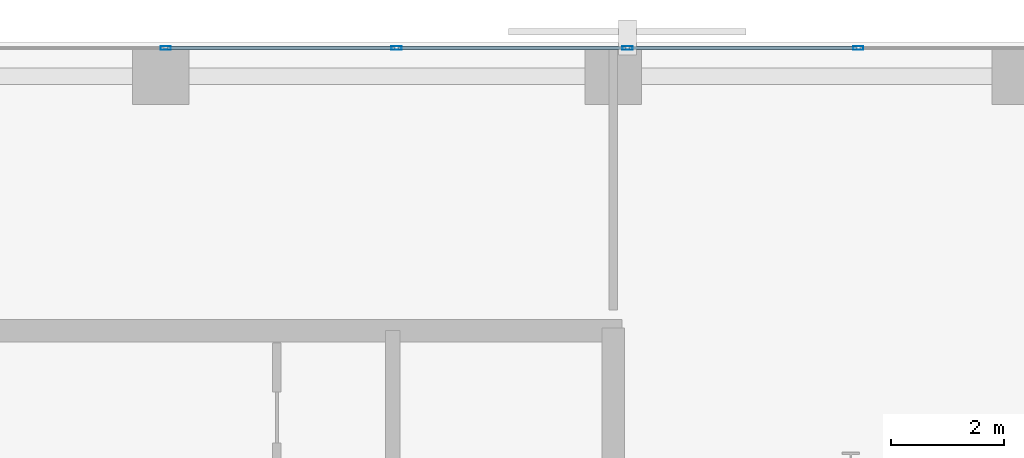
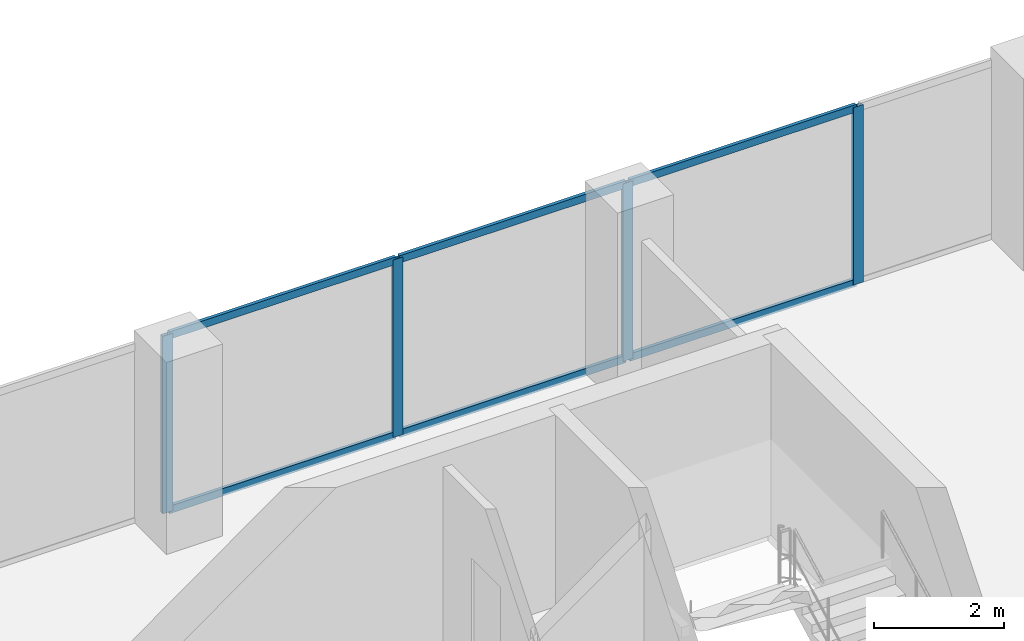
# One storey, part 24 of 31: 10 members, 1 element without a shape of its own.
"""IFC4 building model written with IfcOpenShell, lengths in metres."""

import ifcopenshell
import ifcopenshell.guid

model = None  # the IFC model being written
_history = None  # IfcOwnerHistory: only IFC2X3 demands one
_inside = {}  # id of a spatial element -> (the spatial element, [elements in it])
_under = {}  # id of a project, library or spatial element -> (it, [spatial elements below it])
_declared = {}  # id of a project -> (the project, [libraries it declares])
_typed = {}  # id of a type object -> (the type object, [elements of that type])
_made_of = {}  # id of a material, layer set ... -> (it, [elements and type objects made of it])


def new_model(schema):
    """Start an empty IFC model of exactly this schema.

    Asked for "IFC4X3", IfcOpenShell would pick the latest addendum, in which some entities
    have other attributes; the version numbers below select the first issue.
    IFC2X3 requires an IfcOwnerHistory on every rooted entity: one is made here for all.
    """
    global model, _history
    if schema == "IFC4X3":
        model = ifcopenshell.file(schema_version=(4, 3, 0, 0))
    else:
        model = ifcopenshell.file(schema=schema)
    _inside.clear()
    _under.clear()
    _declared.clear()
    _typed.clear()
    _made_of.clear()
    _history = None
    if model.schema == "IFC2X3":
        org = make("IfcOrganization", Name="unknown")
        user = make(
            "IfcPersonAndOrganization",
            ThePerson=make("IfcPerson", FamilyName="unknown"),
            TheOrganization=org,
        )
        app = make(
            "IfcApplication",
            ApplicationDeveloper=org,
            Version="unknown",
            ApplicationFullName="unknown",
            ApplicationIdentifier="unknown",
        )
        _history = make(
            "IfcOwnerHistory",
            OwningUser=user,
            OwningApplication=app,
            ChangeAction="ADDED",
            CreationDate=0,
        )
    return model


def make(cls, **values):
    """One entity of the class cls with the attributes given. An attribute that is None is left unset."""
    return model.create_entity(
        cls, **{name: value for name, value in values.items() if value is not None}
    )


def rooted(cls, **values):
    """An entity with a GlobalId (a new one), such as an element, a storey or a relation."""
    return make(cls, GlobalId=ifcopenshell.guid.new(), OwnerHistory=_history, **values)


def si_unit(unit_type, name, prefix=None):
    """IfcSIUnit, for example si_unit("LENGTHUNIT", "METRE", prefix="MILLI")."""
    return make("IfcSIUnit", UnitType=unit_type, Prefix=prefix, Name=name)


def assignment(units):
    """IfcUnitAssignment: the units of a project."""
    return None if units is None else make("IfcUnitAssignment", Units=units)


def point(xyz):
    """IfcCartesianPoint."""
    return None if xyz is None else make("IfcCartesianPoint", Coordinates=xyz)


def direction(xyz):
    """IfcDirection."""
    return None if xyz is None else make("IfcDirection", DirectionRatios=xyz)


def frame(location, z_axis=None, x_axis=None):
    """IfcAxis2Placement3D, a coordinate frame: its origin and axes. An axis left out is left unset."""
    return make(
        "IfcAxis2Placement3D",
        Location=point(location),
        Axis=direction(z_axis),
        RefDirection=direction(x_axis),
    )


def frame_2d(location, x_axis=None):
    """IfcAxis2Placement2D, a coordinate frame in the plane: its origin and x axis."""
    return make(
        "IfcAxis2Placement2D", Location=point(location), RefDirection=direction(x_axis)
    )


def origin():
    """The frame at (0, 0, 0) with its axes left unset."""
    return frame((0.0, 0.0, 0.0))


def origin_2d():
    """The frame at (0, 0) in the plane with its x axis left unset."""
    return frame_2d((0.0, 0.0))


def place(relative_to, where):
    """IfcLocalPlacement: puts the frame where relative to a parent placement (None: the world)."""
    return make(
        "IfcLocalPlacement", PlacementRelTo=relative_to, RelativePlacement=where
    )


def context(
    kind, dimensions, precision=None, world=None, true_north=None, identifier=None
):
    """IfcGeometricRepresentationContext, for example the 3D "Model" context."""
    return make(
        "IfcGeometricRepresentationContext",
        ContextIdentifier=identifier,
        ContextType=kind,
        CoordinateSpaceDimension=dimensions,
        Precision=precision,
        WorldCoordinateSystem=world,
        TrueNorth=true_north,
    )


def subcontext(parent, identifier, kind, view, scale=None):
    """IfcGeometricRepresentationSubContext, for example "Body" below "Model"."""
    return make(
        "IfcGeometricRepresentationSubContext",
        ContextIdentifier=identifier,
        ContextType=kind,
        ParentContext=parent,
        TargetScale=scale,
        TargetView=view,
    )


def project(units=None, contexts=None):
    """IfcProject with its units and contexts."""
    return rooted(
        "IfcProject",
        Name="project",
        RepresentationContexts=contexts,
        UnitsInContext=assignment(units),
    )


def spatial(cls, under=None, at=None, **own):
    """A site, building, storey or space (cls), placed at a placement, below another one or the project."""
    s = rooted(cls, ObjectPlacement=at, **own)
    if under is not None:
        _under.setdefault(under.id(), (under, []))[1].append(s)
    return s


def profile(cls, at=None, kind="AREA", **sizes):
    """A parametric profile (cls). Its sizes go by their IFC names, for example OverallWidth=200.0."""
    return make(cls, ProfileType=kind, Position=at, **sizes)


def hollow_rectangle(**sizes):
    """IfcRectangleHollowProfileDef."""
    return profile("IfcRectangleHollowProfileDef", **sizes)


def extrude(swept, where, along, depth):
    """IfcExtrudedAreaSolid: the profile swept, set in the frame where, extruded along a direction by depth."""
    return make(
        "IfcExtrudedAreaSolid",
        SweptArea=swept,
        Position=where,
        ExtrudedDirection=direction(along),
        Depth=depth,
    )


def shape(context_of_items, identifier, shape_type, items):
    """IfcShapeRepresentation: the items that make up one representation, for example the "Body"."""
    return make(
        "IfcShapeRepresentation",
        ContextOfItems=context_of_items,
        RepresentationIdentifier=identifier,
        RepresentationType=shape_type,
        Items=items,
    )


def material(Name=None, Category=None):
    """IfcMaterial."""
    return make("IfcMaterial", Name=Name, Category=Category)


def layer(
    of_material, thickness, ventilated=None, Name=None, Category=None, Priority=None
):
    """IfcMaterialLayer: one layer of a wall or slab, of a material (None: an air gap)."""
    return make(
        "IfcMaterialLayer",
        Material=of_material,
        LayerThickness=thickness,
        IsVentilated=ventilated,
        Name=Name,
        Category=Category,
        Priority=Priority,
    )


def layer_set(layers, Name=None):
    """IfcMaterialLayerSet."""
    return make("IfcMaterialLayerSet", MaterialLayers=layers, LayerSetName=Name)


def material_profile(
    of_material, cross_section, Name=None, Category=None, Priority=None
):
    """IfcMaterialProfile: a cross section and its material."""
    return make(
        "IfcMaterialProfile",
        Name=Name,
        Material=of_material,
        Profile=cross_section,
        Priority=Priority,
        Category=Category,
    )


def profile_set(profiles, Name=None, composite=None):
    """IfcMaterialProfileSet."""
    return make(
        "IfcMaterialProfileSet",
        Name=Name,
        MaterialProfiles=profiles,
        CompositeProfile=composite,
    )


def made_of(thing, what):
    """Note that an element or type object is made of a material, layer set ...; save() writes the relation."""
    if what is not None:
        _made_of.setdefault(what.id(), (what, []))[1].append(thing)
    return thing


def type_object(cls, material=None, **own):
    """A type object (cls), such as IfcWallType, which elements share."""
    return made_of(rooted(cls, **own), material)


def element(
    cls,
    number,
    at=None,
    inside=None,
    cuts=None,
    type_object=None,
    material=None,
    context=None,
    identifier="Body",
    shape_type=None,
    held_by="IfcProductDefinitionShape",
    body=None,
    shapes=None,
    **own,
):
    """One element of the class cls, such as IfcWall. Its Tag is "e" and its number.

    at: its placement. inside: the storey or other place that contains it. cuts: it is an
    opening in that element (IfcRelVoidsElement). A single representation is given by context,
    identifier, shape_type and body (its items); several are given by shapes. held_by: the class
    of the entity that holds the representations. save() writes the other relations.
    """
    e = rooted(cls, Tag="e%d" % number, ObjectPlacement=at, **own)
    if body is not None:
        shapes = [shape(context, identifier, shape_type, body)]
    if shapes is not None:
        e.Representation = make(held_by, Representations=shapes)
    if inside is not None:
        _inside.setdefault(inside.id(), (inside, []))[1].append(e)
    if cuts is not None:
        rooted(
            "IfcRelVoidsElement", RelatingBuildingElement=cuts, RelatedOpeningElement=e
        )
    if type_object is not None:
        _typed.setdefault(type_object.id(), (type_object, []))[1].append(e)
    return made_of(e, material)


def aggregate(whole, parts):
    """IfcRelAggregates: a whole, such as a stair, and the parts it consists of."""
    return rooted("IfcRelAggregates", RelatingObject=whole, RelatedObjects=parts)


def save(model, path):
    """Write the relations noted so far, then the file.

    IfcRelAggregates (storeys below a building ...), IfcRelContainedInSpatialStructure (elements
    in a storey), IfcRelDefinesByType, IfcRelAssociatesMaterial and IfcRelDeclares: one each for
    every whole, place, type object, material and project.
    """
    for whole, parts in _under.values():
        aggregate(whole, parts)
    for where, things in _inside.values():
        rooted(
            "IfcRelContainedInSpatialStructure",
            RelatedElements=things,
            RelatingStructure=where,
        )
    for kind, things in _typed.values():
        rooted("IfcRelDefinesByType", RelatedObjects=things, RelatingType=kind)
    for what, things in _made_of.values():
        rooted("IfcRelAssociatesMaterial", RelatedObjects=things, RelatingMaterial=what)
    for by, libraries in _declared.values():
        rooted("IfcRelDeclares", RelatingContext=by, RelatedDefinitions=libraries)
    model.write(path)


model = new_model("IFC4")

# Units and contexts
model_context = context("Model", 3, precision=1e-05, world=origin(), true_north=direction((0.0, 1.0)))
body_context = subcontext(model_context, "Body", "Model", "MODEL_VIEW")
ifc_project = project(units=[si_unit("LENGTHUNIT", "METRE"), si_unit("AREAUNIT", "SQUARE_METRE"), si_unit("VOLUMEUNIT", "CUBIC_METRE"), si_unit("PLANEANGLEUNIT", "RADIAN"), si_unit("MASSUNIT", "GRAM", prefix="KILO")], contexts=[model_context])

# Site, building, storey
site_placement = place(None, origin())
site = spatial("IfcSite", under=ifc_project, at=site_placement, CompositionType="ELEMENT")
building_placement = place(site_placement, origin())
building = spatial("IfcBuilding", under=site, at=building_placement, Name="Catumbela Crestline Tower", CompositionType="ELEMENT")
storey_placement = place(building_placement, frame((0.0, 0.0, 36.6)))
storey = spatial("IfcBuildingStorey", under=building, at=storey_placement, Name="L08", CompositionType="ELEMENT", Elevation=36.6)

# Curtain wall, members
ifc_material = material(Name="Aluminium alloy AW-6060-T66", Category="aluminium")
ifc_layer = layer(ifc_material, 0.18, Name="Aluminium alloy AW-6060-T66")
ifc_layer_set = layer_set([ifc_layer], Name="Aluminium alloy AW-6060-T66")
curtain_wall_type = type_object("IfcCurtainWallType", Name="CWU-Z1", PredefinedType="USERDEFINED", material=ifc_layer_set)
curtain_wall_placement = place(storey_placement, origin())
curtain_wall = element("IfcCurtainWall", 1, at=curtain_wall_placement, inside=storey, type_object=curtain_wall_type, Name="L08 Unitised Curtain Wall CW-L08-E7S1", ObjectType="UNITISED", PredefinedType="USERDEFINED")
ifc_material_profile_1 = material_profile(ifc_material, hollow_rectangle(XDim=0.065, YDim=0.18, WallThickness=0.004, at=origin_2d()), Name="ALU 180x65x4")
ifc_profile_set_1 = profile_set([ifc_material_profile_1], Name="Aluminium alloy AW-6060-T66")
member_type_1 = type_object("IfcMemberType", Name="MUL-180X65", PredefinedType="MULLION", material=ifc_profile_set_1)
member_1_placement = place(storey_placement, frame((44.3333, 47.9, 0.0), z_axis=(0.0, 0.0, 1.0), x_axis=(0.0, -1.0, 0.0)))
member_1 = element("IfcMember", 2, at=member_1_placement, type_object=member_type_1, Name="CWU-Z1 mullion 3", PredefinedType="MULLION", context=body_context, shape_type="SweptSolid", body=[
    extrude(hollow_rectangle(XDim=0.065, YDim=0.18, WallThickness=0.004, at=origin_2d()), origin(), (0.0, 0.0, 1.0), 3.33),
])
member_2_placement = place(storey_placement, frame((40.25, 47.9, 0.0), z_axis=(0.0, 0.0, 1.0), x_axis=(0.0, -1.0, 0.0)))
member_2 = element("IfcMember", 3, at=member_2_placement, type_object=member_type_1, Name="CWU-Z1 mullion 4", PredefinedType="MULLION", context=body_context, shape_type="SweptSolid", body=[
    extrude(hollow_rectangle(XDim=0.065, YDim=0.18, WallThickness=0.004, at=origin_2d()), origin(), (0.0, 0.0, 1.0), 3.33),
])
member_3_placement = place(storey_placement, frame((36.1667, 47.9, 0.0), z_axis=(0.0, 0.0, 1.0), x_axis=(0.0, -1.0, 0.0)))
member_3 = element("IfcMember", 4, at=member_3_placement, type_object=member_type_1, Name="CWU-Z1 mullion 5", PredefinedType="MULLION", context=body_context, shape_type="SweptSolid", body=[
    extrude(hollow_rectangle(XDim=0.065, YDim=0.18, WallThickness=0.004, at=origin_2d()), origin(), (0.0, 0.0, 1.0), 3.33),
])
member_4_placement = place(storey_placement, frame((32.0833, 47.9, 0.0), z_axis=(0.0, 0.0, 1.0), x_axis=(0.0, -1.0, 0.0)))
member_4 = element("IfcMember", 5, at=member_4_placement, type_object=member_type_1, Name="CWU-Z1 mullion 6", PredefinedType="MULLION", context=body_context, shape_type="SweptSolid", body=[
    extrude(hollow_rectangle(XDim=0.065, YDim=0.18, WallThickness=0.004, at=origin_2d()), origin(), (0.0, 0.0, 1.0), 3.33),
])
ifc_material_profile_2 = material_profile(ifc_material, hollow_rectangle(XDim=0.06, YDim=0.14, WallThickness=0.004, at=origin_2d()), Name="ALU 140x60x4")
ifc_profile_set_2 = profile_set([ifc_material_profile_2], Name="Aluminium alloy AW-6060-T66")
member_type_2 = type_object("IfcMemberType", Name="TRN-140X60", PredefinedType="USERDEFINED", material=ifc_profile_set_2)
member_5_placement = place(storey_placement, frame((44.3008, 47.9, 0.03), z_axis=(-1.0, 0.0, 0.0), x_axis=(0.0, -1.0, 0.0)))
member_5 = element("IfcMember", 6, at=member_5_placement, type_object=member_type_2, Name="CWU-Z1 transom 3.1", ObjectType="TRANSOM", PredefinedType="USERDEFINED", context=body_context, shape_type="SweptSolid", body=[
    extrude(hollow_rectangle(XDim=0.06, YDim=0.14, WallThickness=0.004, at=origin_2d()), origin(), (0.0, 0.0, 1.0), 4.0183),
])
member_6_placement = place(storey_placement, frame((44.3008, 47.9, 3.3), z_axis=(-1.0, 0.0, 0.0), x_axis=(0.0, -1.0, 0.0)))
member_6 = element("IfcMember", 7, at=member_6_placement, type_object=member_type_2, Name="CWU-Z1 transom 3.2", ObjectType="TRANSOM", PredefinedType="USERDEFINED", context=body_context, shape_type="SweptSolid", body=[
    extrude(hollow_rectangle(XDim=0.06, YDim=0.14, WallThickness=0.004, at=origin_2d()), origin(), (0.0, 0.0, 1.0), 4.0183),
])
member_7_placement = place(storey_placement, frame((40.2175, 47.9, 0.03), z_axis=(-1.0, 0.0, 0.0), x_axis=(0.0, -1.0, 0.0)))
member_7 = element("IfcMember", 8, at=member_7_placement, type_object=member_type_2, Name="CWU-Z1 transom 4.1", ObjectType="TRANSOM", PredefinedType="USERDEFINED", context=body_context, shape_type="SweptSolid", body=[
    extrude(hollow_rectangle(XDim=0.06, YDim=0.14, WallThickness=0.004, at=origin_2d()), origin(), (0.0, 0.0, 1.0), 4.0183),
])
member_8_placement = place(storey_placement, frame((40.2175, 47.9, 3.3), z_axis=(-1.0, 0.0, 0.0), x_axis=(0.0, -1.0, 0.0)))
member_8 = element("IfcMember", 9, at=member_8_placement, type_object=member_type_2, Name="CWU-Z1 transom 4.2", ObjectType="TRANSOM", PredefinedType="USERDEFINED", context=body_context, shape_type="SweptSolid", body=[
    extrude(hollow_rectangle(XDim=0.06, YDim=0.14, WallThickness=0.004, at=origin_2d()), origin(), (0.0, 0.0, 1.0), 4.0183),
])
member_9_placement = place(storey_placement, frame((36.1342, 47.9, 0.03), z_axis=(-1.0, 0.0, 0.0), x_axis=(0.0, -1.0, 0.0)))
member_9 = element("IfcMember", 10, at=member_9_placement, type_object=member_type_2, Name="CWU-Z1 transom 5.1", ObjectType="TRANSOM", PredefinedType="USERDEFINED", context=body_context, shape_type="SweptSolid", body=[
    extrude(hollow_rectangle(XDim=0.06, YDim=0.14, WallThickness=0.004, at=origin_2d()), origin(), (0.0, 0.0, 1.0), 4.0184),
])
member_10_placement = place(storey_placement, frame((36.1342, 47.9, 3.3), z_axis=(-1.0, 0.0, 0.0), x_axis=(0.0, -1.0, 0.0)))
member_10 = element("IfcMember", 11, at=member_10_placement, type_object=member_type_2, Name="CWU-Z1 transom 5.2", ObjectType="TRANSOM", PredefinedType="USERDEFINED", context=body_context, shape_type="SweptSolid", body=[
    extrude(hollow_rectangle(XDim=0.06, YDim=0.14, WallThickness=0.004, at=origin_2d()), origin(), (0.0, 0.0, 1.0), 4.0184),
])
aggregate(curtain_wall, [member_1, member_2, member_3, member_4, member_5, member_6, member_7, member_8, member_9, member_10])

save(model, "model.ifc")
